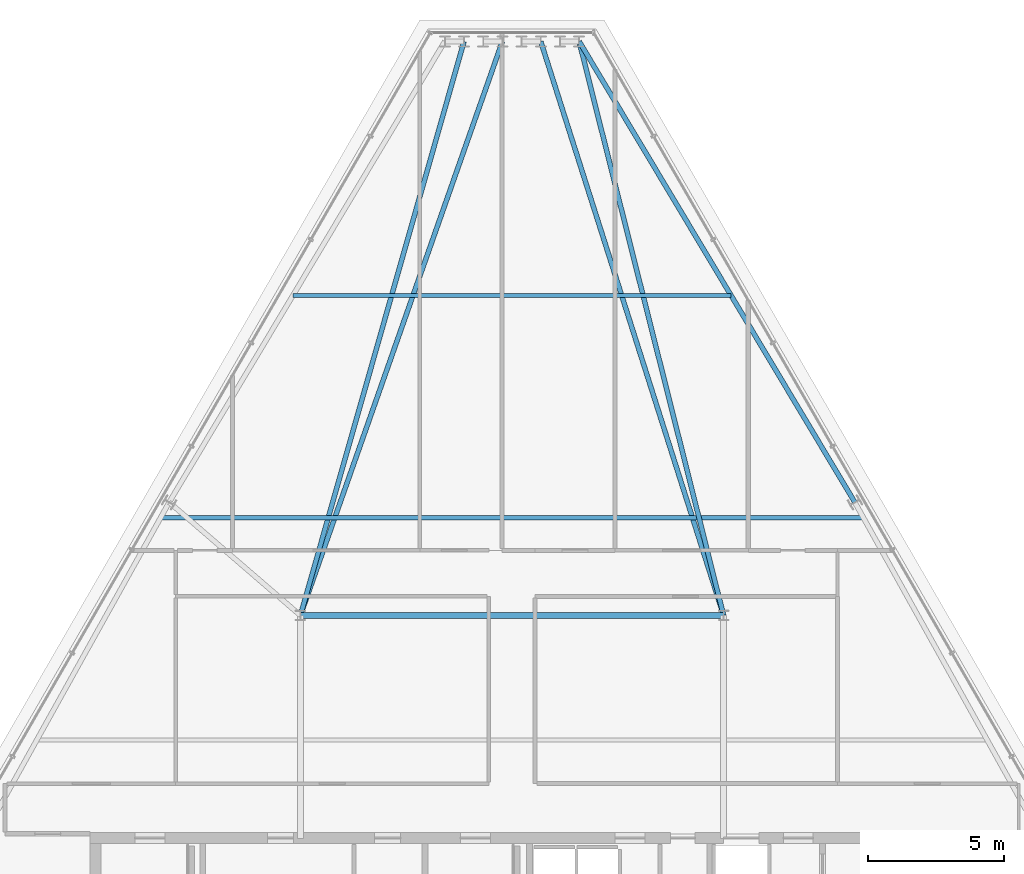
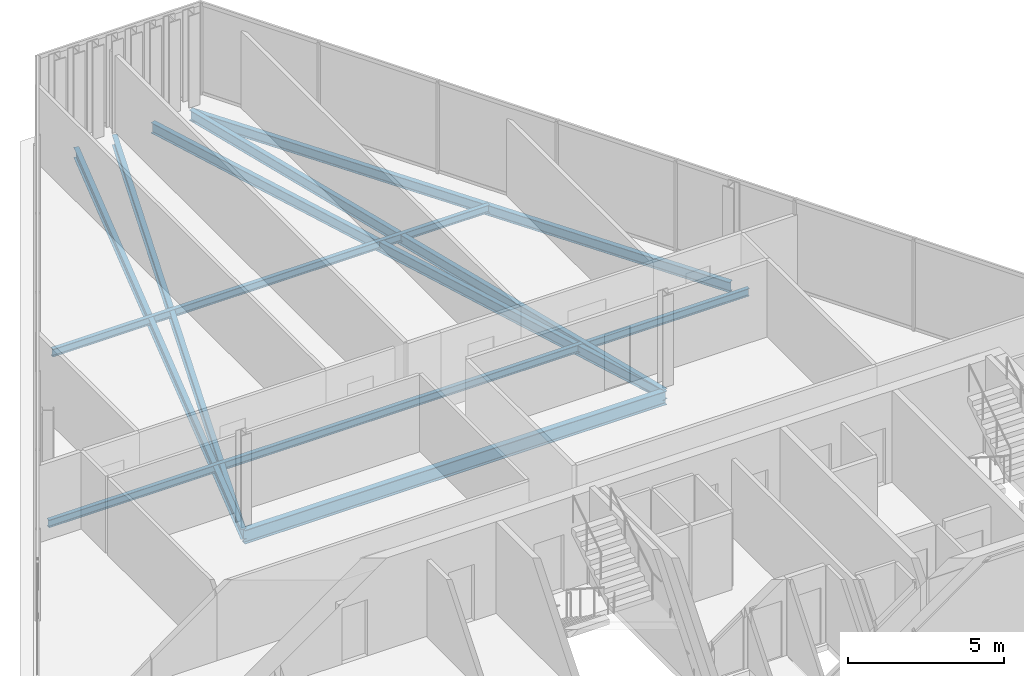
# One storey, part 16 of 32: 8 beams.
"""IFC4 building model written with IfcOpenShell, lengths in metres."""

from ifc_helpers import new_model, si_unit, direction, frame, origin, origin_2d, place, context, subcontext, project, spatial, i_section, extrude, material, material_profile, profile_set, type_object, element, save


model = new_model("IFC4")

# Units and contexts
model_context = context("Model", 3, precision=1e-05, world=origin(), true_north=direction((0.0, 1.0)))
body_context = subcontext(model_context, "Body", "Model", "MODEL_VIEW")
ifc_project = project(units=[si_unit("LENGTHUNIT", "METRE"), si_unit("AREAUNIT", "SQUARE_METRE"), si_unit("VOLUMEUNIT", "CUBIC_METRE"), si_unit("PLANEANGLEUNIT", "RADIAN"), si_unit("MASSUNIT", "GRAM", prefix="KILO")], contexts=[model_context])

# Site, building, storey
site_placement = place(None, origin())
site = spatial("IfcSite", under=ifc_project, at=site_placement, CompositionType="ELEMENT")
building_placement = place(site_placement, origin())
building = spatial("IfcBuilding", under=site, at=building_placement, Name="Ndaravel Arena Tower", CompositionType="ELEMENT")
storey_placement = place(building_placement, frame((0.0, 0.0, 252.199951171875)))
storey = spatial("IfcBuildingStorey", under=building, at=storey_placement, Name="L61", CompositionType="ELEMENT", Elevation=252.199951171875)

# Beams
ifc_material_1 = material(Name="Steel S355", Category="steel")
ifc_material_profile_1 = material_profile(ifc_material_1, i_section(OverallWidth=0.1787109375, OverallDepth=0.409423828125, WebThickness=0.0087890625, FlangeThickness=0.014404296875, FilletRadius=0.01025390625, at=origin_2d()), Name="UB 406x178x67")
ifc_profile_set_1 = profile_set([ifc_material_profile_1], Name="Steel S355")
beam_type_1 = type_object("IfcBeamType", Name="BM-GIRD-UB406", PredefinedType="BEAM", material=ifc_profile_set_1)
beam_1_placement = place(storey_placement, frame((44.475341796875, 44.359619140625, -0.424560546875), z_axis=(0.244036001277, -0.969766172889, 0.0), x_axis=(0.969766172889, 0.244036001277, 0.0)))
element("IfcBeam", 1, at=beam_1_placement, inside=storey, type_object=beam_type_1, Name="L61 Radial Floor Girder FG-11", PredefinedType="BEAM", context=body_context, shape_type="SweptSolid", body=[
    extrude(i_section(OverallWidth=0.1787109375, OverallDepth=0.409423828125, WebThickness=0.0087890625, FlangeThickness=0.014404296875, FilletRadius=0.01025390625, at=origin_2d()), origin(), (0.0, 0.0, 1.0), 21.8193359375),
])
beam_2_placement = place(storey_placement, frame((43.060791015625, 44.359619140625, -0.424560546875), z_axis=(0.303475006068, -0.952839399213, 0.0), x_axis=(0.952839399213, 0.303475006068, 0.0)))
element("IfcBeam", 2, at=beam_2_placement, inside=storey, type_object=beam_type_1, Name="L61 Radial Floor Girder FG-13", PredefinedType="BEAM", context=body_context, shape_type="SweptSolid", body=[
    extrude(i_section(OverallWidth=0.1787109375, OverallDepth=0.409423828125, WebThickness=0.0087890625, FlangeThickness=0.014404296875, FilletRadius=0.01025390625, at=origin_2d()), origin(), (0.0, 0.0, 1.0), 22.20703125),
])
beam_3_placement = place(storey_placement, frame((41.646484375, 44.359619140625, -0.424560546875), z_axis=(-0.33196431946, -0.943291943465, 0.0), x_axis=(0.943291943465, -0.33196431946, 0.0)))
element("IfcBeam", 3, at=beam_3_placement, inside=storey, type_object=beam_type_1, Name="L61 Radial Floor Girder FG-15", PredefinedType="BEAM", context=body_context, shape_type="SweptSolid", body=[
    extrude(i_section(OverallWidth=0.1787109375, OverallDepth=0.409423828125, WebThickness=0.0087890625, FlangeThickness=0.014404296875, FilletRadius=0.01025390625, at=origin_2d()), origin(), (0.0, 0.0, 1.0), 22.431640625),
])
beam_4_placement = place(storey_placement, frame((40.23193359375, 44.359619140625, -0.424560546875), z_axis=(-0.274148066609, -0.961687494758, 0.0), x_axis=(0.961687494758, -0.274148066609, 0.0)))
element("IfcBeam", 4, at=beam_4_placement, inside=storey, type_object=beam_type_1, Name="L61 Radial Floor Girder FG-17", PredefinedType="BEAM", context=body_context, shape_type="SweptSolid", body=[
    extrude(i_section(OverallWidth=0.1787109375, OverallDepth=0.409423828125, WebThickness=0.0087890625, FlangeThickness=0.014404296875, FilletRadius=0.01025390625, at=origin_2d()), origin(), (0.0, 0.0, 1.0), 22.002685546875),
])
ifc_material_2 = material(Name="Steel S355", Category="steel")
ifc_material_profile_2 = material_profile(ifc_material_2, i_section(OverallWidth=0.210693359375, OverallDepth=0.53955078125, WebThickness=0.01171875, FlangeThickness=0.018798828125, FilletRadius=0.0126953125, at=origin_2d()), Name="UB 533x210x109")
ifc_profile_set_2 = profile_set([ifc_material_profile_2], Name="Steel S355")
beam_type_2 = type_object("IfcBeamType", Name="BM-GIRD-UB533", PredefinedType="BEAM", material=ifc_profile_set_2)
beam_5_placement = place(storey_placement, frame((34.199951171875, 23.199951171875, -0.48974609375), z_axis=(1.0, 0.0, 0.0), x_axis=(0.0, 1.0, 0.0)))
element("IfcBeam", 5, at=beam_5_placement, inside=storey, type_object=beam_type_2, Name="L61 Spine Link Girder SLG-03", PredefinedType="BEAM", context=body_context, shape_type="SweptSolid", body=[
    extrude(i_section(OverallWidth=0.210693359375, OverallDepth=0.53955078125, WebThickness=0.01171875, FlangeThickness=0.018798828125, FilletRadius=0.0126953125, at=origin_2d()), origin(), (0.0, 0.0, 1.0), 15.60009765625),
])
ifc_material_3 = material(Name="Steel S355", Category="steel")
ifc_material_profile_3 = material_profile(ifc_material_3, i_section(OverallWidth=0.14990234375, OverallDepth=0.300048828125, WebThickness=0.007080078125, FlangeThickness=0.0107421875, FilletRadius=0.014892578125, at=origin_2d()), Name="IPE 300")
ifc_profile_set_3 = profile_set([ifc_material_profile_3], Name="Steel S355")
beam_type_3 = type_object("IfcBeamType", Name="BM-JOIST-IPE300", PredefinedType="JOIST", material=ifc_profile_set_3)
beam_6_placement = place(storey_placement, frame((29.044677734375, 26.800048828125, -0.369873046875), z_axis=(1.0, 0.0, 0.0), x_axis=(0.0, 1.0, 0.0)))
element("IfcBeam", 6, at=beam_6_placement, inside=storey, type_object=beam_type_3, Name="L61 Composite Floor Joist FJ-02", PredefinedType="JOIST", context=body_context, shape_type="SweptSolid", body=[
    extrude(i_section(OverallWidth=0.14990234375, OverallDepth=0.300048828125, WebThickness=0.007080078125, FlangeThickness=0.0107421875, FilletRadius=0.014892578125, at=origin_2d()), origin(), (0.0, 0.0, 1.0), 25.91064453125),
])
beam_7_placement = place(storey_placement, frame((33.926025390625, 35.0, -0.369873046875), z_axis=(1.0, 0.0, 0.0), x_axis=(0.0, 1.0, 0.0)))
element("IfcBeam", 7, at=beam_7_placement, inside=storey, type_object=beam_type_3, Name="L61 Composite Floor Joist FJ-03", PredefinedType="JOIST", context=body_context, shape_type="SweptSolid", body=[
    extrude(i_section(OverallWidth=0.14990234375, OverallDepth=0.300048828125, WebThickness=0.007080078125, FlangeThickness=0.0107421875, FilletRadius=0.014892578125, at=origin_2d()), origin(), (0.0, 0.0, 1.0), 16.14794921875),
])
ifc_material_4 = material(Name="Steel S355", Category="steel")
ifc_material_profile_4 = material_profile(ifc_material_4, i_section(OverallWidth=0.179931640625, OverallDepth=0.39990234375, WebThickness=0.008544921875, FlangeThickness=0.013427734375, FilletRadius=0.02099609375, at=origin_2d()), Name="IPE 400")
ifc_profile_set_4 = profile_set([ifc_material_profile_4], Name="Steel S355")
beam_type_4 = type_object("IfcBeamType", Name="BM-SPAN-IPE400", PredefinedType="SPANDREL", material=ifc_profile_set_4)
beam_8_placement = place(storey_placement, frame((54.63818359375, 27.36962890625, -0.419921875), z_axis=(-0.513338268599, 0.858186356214, 0.0), x_axis=(-0.858186356214, -0.513338268599, 0.0)))
element("IfcBeam", 8, at=beam_8_placement, inside=storey, type_object=beam_type_4, Name="L61 Perimeter Spandrel Beam SP-10", PredefinedType="SPANDREL", context=body_context, shape_type="SweptSolid", body=[
    extrude(i_section(OverallWidth=0.179931640625, OverallDepth=0.39990234375, WebThickness=0.008544921875, FlangeThickness=0.013427734375, FilletRadius=0.02099609375, at=origin_2d()), origin(), (0.0, 0.0, 1.0), 19.797607421875),
])

save(model, "model.ifc")
